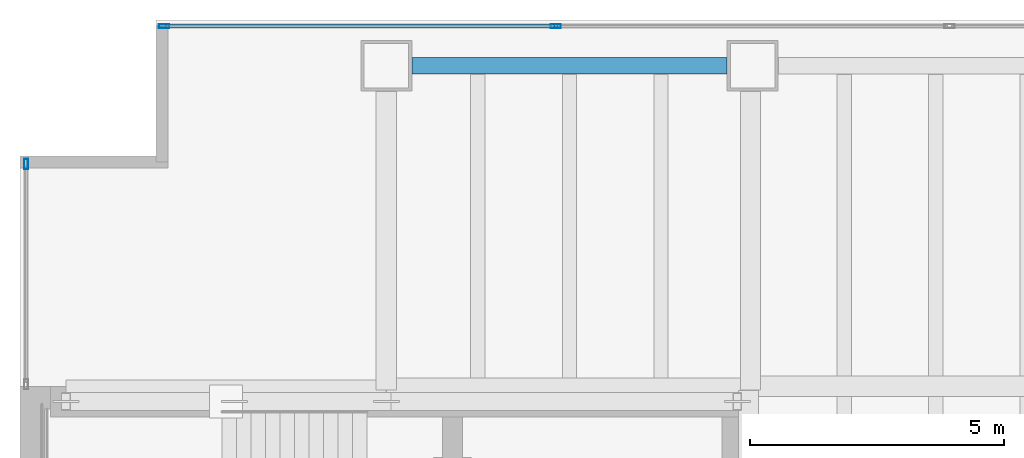
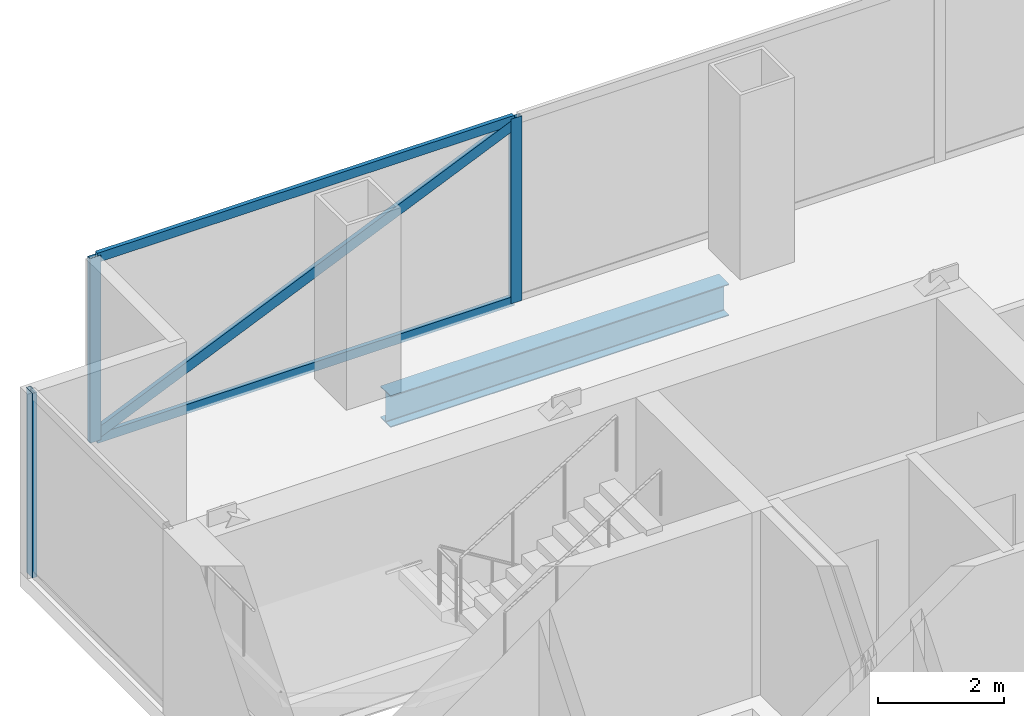
# One storey, part 16 of 23: 6 members, 1 beam, 2 elements without a shape of their own.
"""IFC4 building model written with IfcOpenShell, lengths in metres."""

import ifcopenshell
import ifcopenshell.guid

model = None  # the IFC model being written
_history = None  # IfcOwnerHistory: only IFC2X3 demands one
_inside = {}  # id of a spatial element -> (the spatial element, [elements in it])
_under = {}  # id of a project, library or spatial element -> (it, [spatial elements below it])
_declared = {}  # id of a project -> (the project, [libraries it declares])
_typed = {}  # id of a type object -> (the type object, [elements of that type])
_made_of = {}  # id of a material, layer set ... -> (it, [elements and type objects made of it])


def new_model(schema):
    """Start an empty IFC model of exactly this schema.

    Asked for "IFC4X3", IfcOpenShell would pick the latest addendum, in which some entities
    have other attributes; the version numbers below select the first issue.
    IFC2X3 requires an IfcOwnerHistory on every rooted entity: one is made here for all.
    """
    global model, _history
    if schema == "IFC4X3":
        model = ifcopenshell.file(schema_version=(4, 3, 0, 0))
    else:
        model = ifcopenshell.file(schema=schema)
    _inside.clear()
    _under.clear()
    _declared.clear()
    _typed.clear()
    _made_of.clear()
    _history = None
    if model.schema == "IFC2X3":
        org = make("IfcOrganization", Name="unknown")
        user = make(
            "IfcPersonAndOrganization",
            ThePerson=make("IfcPerson", FamilyName="unknown"),
            TheOrganization=org,
        )
        app = make(
            "IfcApplication",
            ApplicationDeveloper=org,
            Version="unknown",
            ApplicationFullName="unknown",
            ApplicationIdentifier="unknown",
        )
        _history = make(
            "IfcOwnerHistory",
            OwningUser=user,
            OwningApplication=app,
            ChangeAction="ADDED",
            CreationDate=0,
        )
    return model


def make(cls, **values):
    """One entity of the class cls with the attributes given. An attribute that is None is left unset."""
    return model.create_entity(
        cls, **{name: value for name, value in values.items() if value is not None}
    )


def rooted(cls, **values):
    """An entity with a GlobalId (a new one), such as an element, a storey or a relation."""
    return make(cls, GlobalId=ifcopenshell.guid.new(), OwnerHistory=_history, **values)


def si_unit(unit_type, name, prefix=None):
    """IfcSIUnit, for example si_unit("LENGTHUNIT", "METRE", prefix="MILLI")."""
    return make("IfcSIUnit", UnitType=unit_type, Prefix=prefix, Name=name)


def assignment(units):
    """IfcUnitAssignment: the units of a project."""
    return None if units is None else make("IfcUnitAssignment", Units=units)


def point(xyz):
    """IfcCartesianPoint."""
    return None if xyz is None else make("IfcCartesianPoint", Coordinates=xyz)


def direction(xyz):
    """IfcDirection."""
    return None if xyz is None else make("IfcDirection", DirectionRatios=xyz)


def frame(location, z_axis=None, x_axis=None):
    """IfcAxis2Placement3D, a coordinate frame: its origin and axes. An axis left out is left unset."""
    return make(
        "IfcAxis2Placement3D",
        Location=point(location),
        Axis=direction(z_axis),
        RefDirection=direction(x_axis),
    )


def frame_2d(location, x_axis=None):
    """IfcAxis2Placement2D, a coordinate frame in the plane: its origin and x axis."""
    return make(
        "IfcAxis2Placement2D", Location=point(location), RefDirection=direction(x_axis)
    )


def origin():
    """The frame at (0, 0, 0) with its axes left unset."""
    return frame((0.0, 0.0, 0.0))


def origin_2d():
    """The frame at (0, 0) in the plane with its x axis left unset."""
    return frame_2d((0.0, 0.0))


def place(relative_to, where):
    """IfcLocalPlacement: puts the frame where relative to a parent placement (None: the world)."""
    return make(
        "IfcLocalPlacement", PlacementRelTo=relative_to, RelativePlacement=where
    )


def context(
    kind, dimensions, precision=None, world=None, true_north=None, identifier=None
):
    """IfcGeometricRepresentationContext, for example the 3D "Model" context."""
    return make(
        "IfcGeometricRepresentationContext",
        ContextIdentifier=identifier,
        ContextType=kind,
        CoordinateSpaceDimension=dimensions,
        Precision=precision,
        WorldCoordinateSystem=world,
        TrueNorth=true_north,
    )


def subcontext(parent, identifier, kind, view, scale=None):
    """IfcGeometricRepresentationSubContext, for example "Body" below "Model"."""
    return make(
        "IfcGeometricRepresentationSubContext",
        ContextIdentifier=identifier,
        ContextType=kind,
        ParentContext=parent,
        TargetScale=scale,
        TargetView=view,
    )


def project(units=None, contexts=None):
    """IfcProject with its units and contexts."""
    return rooted(
        "IfcProject",
        Name="project",
        RepresentationContexts=contexts,
        UnitsInContext=assignment(units),
    )


def spatial(cls, under=None, at=None, **own):
    """A site, building, storey or space (cls), placed at a placement, below another one or the project."""
    s = rooted(cls, ObjectPlacement=at, **own)
    if under is not None:
        _under.setdefault(under.id(), (under, []))[1].append(s)
    return s


def profile(cls, at=None, kind="AREA", **sizes):
    """A parametric profile (cls). Its sizes go by their IFC names, for example OverallWidth=200.0."""
    return make(cls, ProfileType=kind, Position=at, **sizes)


def hollow_rectangle(**sizes):
    """IfcRectangleHollowProfileDef."""
    return profile("IfcRectangleHollowProfileDef", **sizes)


def i_section(**sizes):
    """IfcIShapeProfileDef."""
    return profile("IfcIShapeProfileDef", **sizes)


def extrude(swept, where, along, depth):
    """IfcExtrudedAreaSolid: the profile swept, set in the frame where, extruded along a direction by depth."""
    return make(
        "IfcExtrudedAreaSolid",
        SweptArea=swept,
        Position=where,
        ExtrudedDirection=direction(along),
        Depth=depth,
    )


def shape(context_of_items, identifier, shape_type, items):
    """IfcShapeRepresentation: the items that make up one representation, for example the "Body"."""
    return make(
        "IfcShapeRepresentation",
        ContextOfItems=context_of_items,
        RepresentationIdentifier=identifier,
        RepresentationType=shape_type,
        Items=items,
    )


def material(Name=None, Category=None):
    """IfcMaterial."""
    return make("IfcMaterial", Name=Name, Category=Category)


def material_profile(
    of_material, cross_section, Name=None, Category=None, Priority=None
):
    """IfcMaterialProfile: a cross section and its material."""
    return make(
        "IfcMaterialProfile",
        Name=Name,
        Material=of_material,
        Profile=cross_section,
        Priority=Priority,
        Category=Category,
    )


def profile_set(profiles, Name=None, composite=None):
    """IfcMaterialProfileSet."""
    return make(
        "IfcMaterialProfileSet",
        Name=Name,
        MaterialProfiles=profiles,
        CompositeProfile=composite,
    )


def made_of(thing, what):
    """Note that an element or type object is made of a material, layer set ...; save() writes the relation."""
    if what is not None:
        _made_of.setdefault(what.id(), (what, []))[1].append(thing)
    return thing


def type_object(cls, material=None, **own):
    """A type object (cls), such as IfcWallType, which elements share."""
    return made_of(rooted(cls, **own), material)


def element(
    cls,
    number,
    at=None,
    inside=None,
    cuts=None,
    type_object=None,
    material=None,
    context=None,
    identifier="Body",
    shape_type=None,
    held_by="IfcProductDefinitionShape",
    body=None,
    shapes=None,
    **own,
):
    """One element of the class cls, such as IfcWall. Its Tag is "e" and its number.

    at: its placement. inside: the storey or other place that contains it. cuts: it is an
    opening in that element (IfcRelVoidsElement). A single representation is given by context,
    identifier, shape_type and body (its items); several are given by shapes. held_by: the class
    of the entity that holds the representations. save() writes the other relations.
    """
    e = rooted(cls, Tag="e%d" % number, ObjectPlacement=at, **own)
    if body is not None:
        shapes = [shape(context, identifier, shape_type, body)]
    if shapes is not None:
        e.Representation = make(held_by, Representations=shapes)
    if inside is not None:
        _inside.setdefault(inside.id(), (inside, []))[1].append(e)
    if cuts is not None:
        rooted(
            "IfcRelVoidsElement", RelatingBuildingElement=cuts, RelatedOpeningElement=e
        )
    if type_object is not None:
        _typed.setdefault(type_object.id(), (type_object, []))[1].append(e)
    return made_of(e, material)


def aggregate(whole, parts):
    """IfcRelAggregates: a whole, such as a stair, and the parts it consists of."""
    return rooted("IfcRelAggregates", RelatingObject=whole, RelatedObjects=parts)


def save(model, path):
    """Write the relations noted so far, then the file.

    IfcRelAggregates (storeys below a building ...), IfcRelContainedInSpatialStructure (elements
    in a storey), IfcRelDefinesByType, IfcRelAssociatesMaterial and IfcRelDeclares: one each for
    every whole, place, type object, material and project.
    """
    for whole, parts in _under.values():
        aggregate(whole, parts)
    for where, things in _inside.values():
        rooted(
            "IfcRelContainedInSpatialStructure",
            RelatedElements=things,
            RelatingStructure=where,
        )
    for kind, things in _typed.values():
        rooted("IfcRelDefinesByType", RelatedObjects=things, RelatingType=kind)
    for what, things in _made_of.values():
        rooted("IfcRelAssociatesMaterial", RelatedObjects=things, RelatingMaterial=what)
    for by, libraries in _declared.values():
        rooted("IfcRelDeclares", RelatingContext=by, RelatedDefinitions=libraries)
    model.write(path)


model = new_model("IFC4")

# Units and contexts
model_context = context("Model", 3, precision=1e-05, world=origin(), true_north=direction((0.0, 1.0)))
body_context = subcontext(model_context, "Body", "Model", "MODEL_VIEW")
ifc_project = project(units=[si_unit("LENGTHUNIT", "METRE"), si_unit("AREAUNIT", "SQUARE_METRE"), si_unit("VOLUMEUNIT", "CUBIC_METRE"), si_unit("PLANEANGLEUNIT", "RADIAN"), si_unit("MASSUNIT", "GRAM", prefix="KILO")], contexts=[model_context])

# Site, building, storey
site_placement = place(None, origin())
site = spatial("IfcSite", under=ifc_project, at=site_placement, CompositionType="ELEMENT")
building_placement = place(site_placement, origin())
building = spatial("IfcBuilding", under=site, at=building_placement, Name="Cobrela Telecom Tower", CompositionType="ELEMENT")
storey_placement = place(building_placement, frame((0.0, 0.0, 54.25)))
storey = spatial("IfcBuildingStorey", under=building, at=storey_placement, Name="L13", CompositionType="ELEMENT", Elevation=54.25)

# Beam
ifc_material_1 = material(Name="Steel ASTM A992 Grade 50", Category="steel")
ifc_material_profile_1 = material_profile(ifc_material_1, i_section(OverallWidth=0.324951171875, OverallDepth=0.612060546875, WebThickness=0.0126953125, FlangeThickness=0.01904296875, FilletRadius=0.014892578125, at=origin_2d()), Name="W24X104")
ifc_profile_set_1 = profile_set([ifc_material_profile_1], Name="Steel ASTM A992 Grade 50")
beam_type = type_object("IfcBeamType", Name="BM-SPAND-02", PredefinedType="SPANDREL", material=ifc_profile_set_1)
beam_placement = place(storey_placement, frame((7.705078125, 42.300048828125, -0.5859375), z_axis=(1.0, 0.0, 0.0), x_axis=(0.0, 1.0, 0.0)))
element("IfcBeam", 1, at=beam_placement, inside=storey, type_object=beam_type, Name="L13 Perimeter Spandrel X29", PredefinedType="SPANDREL", context=body_context, shape_type="SweptSolid", body=[
    extrude(i_section(OverallWidth=0.324951171875, OverallDepth=0.612060546875, WebThickness=0.0126953125, FlangeThickness=0.01904296875, FilletRadius=0.014892578125, at=origin_2d()), origin(), (0.0, 0.0, 1.0), 6.18994140625),
])

# Curtain wall, member
ifc_material_2 = material(Name="Anodized Bronze Aluminium 6063-T6", Category="aluminium")
curtain_wall_type = type_object("IfcCurtainWallType", Name="CW-SYS-DATA", PredefinedType="USERDEFINED", material=ifc_material_2)
curtain_wall_1_placement = place(storey_placement, origin())
curtain_wall_1 = element("IfcCurtainWall", 2, at=curtain_wall_1_placement, inside=storey, type_object=curtain_wall_type, Name="L13 Unitised Bronze Curtain Wall 04", ObjectType="UNITISED CURTAIN WALL", PredefinedType="USERDEFINED")
ifc_material_profile_2 = material_profile(ifc_material_2, hollow_rectangle(XDim=0.080078125, YDim=0.199951171875, WallThickness=0.00390625, at=origin_2d()), Name="ALU 80x200x4")
ifc_profile_set_2 = profile_set([ifc_material_profile_2], Name="Anodized Bronze Aluminium 6063-T6")
member_type_1 = type_object("IfcMemberType", Name="CW-SYS-DATA-MUL", PredefinedType="MULLION", material=ifc_profile_set_2)
member_1_placement = place(storey_placement, frame((0.1201171875, 40.3701171875, 0.0), z_axis=(0.0, 0.0, 1.0), x_axis=(-1.0, 0.0, 0.0)))
member_1 = element("IfcMember", 3, at=member_1_placement, type_object=member_type_1, Name="CW-DATA mullion 2", PredefinedType="MULLION", context=body_context, shape_type="SweptSolid", body=[
    extrude(hollow_rectangle(XDim=0.080078125, YDim=0.199951171875, WallThickness=0.00390625, at=origin_2d()), origin(), (0.0, 0.0, 1.0), 3.570068359375),
])
aggregate(curtain_wall_1, [member_1])

# Curtain wall, members
curtain_wall_2_placement = place(storey_placement, origin())
curtain_wall_2 = element("IfcCurtainWall", 4, at=curtain_wall_2_placement, inside=storey, type_object=curtain_wall_type, Name="L13 Unitised Bronze Curtain Wall 07", ObjectType="UNITISED CURTAIN WALL", PredefinedType="USERDEFINED")
member_2_placement = place(storey_placement, frame((2.830078125, 43.080078125, 0.0), z_axis=(0.0, 0.0, 1.0), x_axis=(0.0, 1.0, 0.0)))
member_2 = element("IfcMember", 5, at=member_2_placement, type_object=member_type_1, Name="CW-DATA mullion 1", PredefinedType="MULLION", context=body_context, shape_type="SweptSolid", body=[
    extrude(hollow_rectangle(XDim=0.080078125, YDim=0.199951171875, WallThickness=0.00390625, at=origin_2d()), origin(), (0.0, 0.0, 1.0), 3.570068359375),
])
member_3_placement = place(storey_placement, frame((10.530029296875, 43.080078125, 0.0), z_axis=(0.0, 0.0, 1.0), x_axis=(0.0, 1.0, 0.0)))
member_3 = element("IfcMember", 6, at=member_3_placement, type_object=member_type_1, Name="CW-DATA mullion 2", PredefinedType="MULLION", context=body_context, shape_type="SweptSolid", body=[
    extrude(hollow_rectangle(XDim=0.080078125, YDim=0.199951171875, WallThickness=0.00390625, at=origin_2d()), origin(), (0.0, 0.0, 1.0), 3.570068359375),
])
member_4_placement = place(storey_placement, frame((2.7900390625, 43.080078125, 0.10009765625), z_axis=(0.916868092641, 0.0, 0.399190306366), x_axis=(0.0, 1.0, 0.0)))
member_4 = element("IfcMember", 7, at=member_4_placement, type_object=member_type_1, Name="L13 Faceted Curtain Wall Diagonal Glazing Mullion", PredefinedType="MULLION", context=body_context, shape_type="SweptSolid", body=[
    extrude(hollow_rectangle(XDim=0.080078125, YDim=0.199951171875, WallThickness=0.00390625, at=origin_2d()), origin(), (0.0, 0.0, 1.0), 8.441650390625),
])
ifc_material_profile_3 = material_profile(ifc_material_2, hollow_rectangle(XDim=0.074951171875, YDim=0.179931640625, WallThickness=0.00390625, at=origin_2d()), Name="ALU 75x180x4")
ifc_profile_set_3 = profile_set([ifc_material_profile_3], Name="Anodized Bronze Aluminium 6063-T6")
member_type_2 = type_object("IfcMemberType", Name="CW-SYS-DATA-TRN", PredefinedType="USERDEFINED", material=ifc_profile_set_3)
member_5_placement = place(storey_placement, frame((2.8701171875, 43.080078125, 0.03759765625), z_axis=(1.0, 0.0, 0.0), x_axis=(0.0, 1.0, 0.0)))
member_5 = element("IfcMember", 8, at=member_5_placement, type_object=member_type_2, Name="CW-DATA transom 1.1", ObjectType="TRANSOM", PredefinedType="USERDEFINED", context=body_context, shape_type="SweptSolid", body=[
    extrude(hollow_rectangle(XDim=0.074951171875, YDim=0.179931640625, WallThickness=0.00390625, at=origin_2d()), origin(), (0.0, 0.0, 1.0), 7.619873046875),
])
member_6_placement = place(storey_placement, frame((2.8701171875, 43.080078125, 3.532470703125), z_axis=(1.0, 0.0, 0.0), x_axis=(0.0, 1.0, 0.0)))
member_6 = element("IfcMember", 9, at=member_6_placement, type_object=member_type_2, Name="CW-DATA transom 1.2", ObjectType="TRANSOM", PredefinedType="USERDEFINED", context=body_context, shape_type="SweptSolid", body=[
    extrude(hollow_rectangle(XDim=0.074951171875, YDim=0.179931640625, WallThickness=0.00390625, at=origin_2d()), origin(), (0.0, 0.0, 1.0), 7.619873046875),
])
aggregate(curtain_wall_2, [member_2, member_3, member_5, member_6, member_4])

save(model, "model.ifc")
